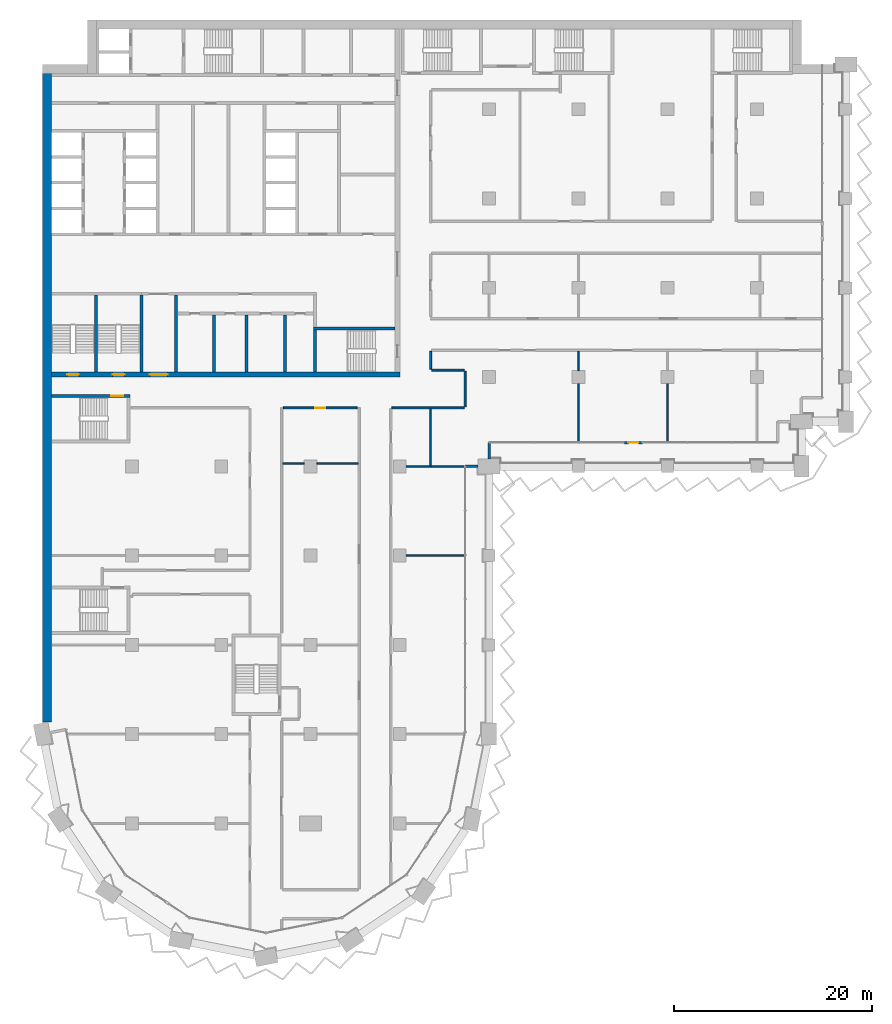
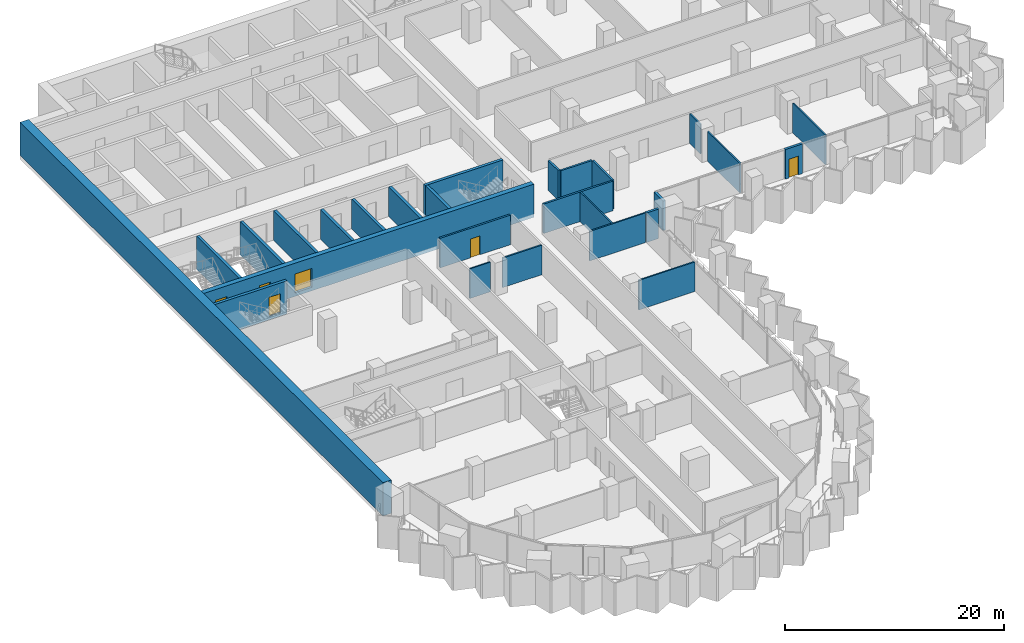
# One storey, part 11 of 23: 27 walls, 6 doors, 6 openings.
"""IFC4 building model written with IfcOpenShell, lengths in metres."""

from ifc_helpers import new_model, si_unit, direction, frame, frame_2d, origin, place, context, subcontext, project, spatial, rectangle, extrude, material, layer, layer_set, type_object, element, fill, save


model = new_model("IFC4")

# Units and contexts
model_context = context("Model", 3, precision=1e-05, world=origin(), true_north=direction((0.0, 1.0)))
body_context = subcontext(model_context, "Body", "Model", "MODEL_VIEW")
ifc_project = project(units=[si_unit("LENGTHUNIT", "METRE"), si_unit("AREAUNIT", "SQUARE_METRE"), si_unit("VOLUMEUNIT", "CUBIC_METRE"), si_unit("PLANEANGLEUNIT", "RADIAN"), si_unit("MASSUNIT", "GRAM", prefix="KILO")], contexts=[model_context])

# Site, building, storey
site_placement = place(None, origin())
site = spatial("IfcSite", under=ifc_project, at=site_placement, CompositionType="ELEMENT")
building_placement = place(site_placement, origin())
building = spatial("IfcBuilding", under=site, at=building_placement, Name="Hunhe Ridgeline Campus", CompositionType="ELEMENT")
storey_placement = place(building_placement, frame((0.0, 0.0, 95.89990234375)))
storey = spatial("IfcBuildingStorey", under=building, at=storey_placement, Name="L23", CompositionType="ELEMENT", Elevation=95.89990234375)

# Walls
ifc_material_1 = material(Name="Masonry concrete blockwork", Category="masonry")
ifc_layer_1 = layer(ifc_material_1, 0.300048828125)
ifc_layer_set_1 = layer_set([ifc_layer_1], Name="Core room partition 300 concrete block")
wall_type_1 = type_object("IfcWallType", Name="Core room partition 300 concrete block", PredefinedType="PARTITIONING", material=ifc_layer_set_1)
wall_1_placement = place(storey_placement, frame((13.449951171875, 63.5, 0.0), z_axis=(0.0, 0.0, 1.0), x_axis=(0.0, 1.0, 0.0)))
element("IfcWall", 1, at=wall_1_placement, inside=storey, type_object=wall_type_1, Name="L23 core partition 42", PredefinedType="PARTITIONING", context=body_context, shape_type="SweptSolid", body=[
    extrude(rectangle(XDim=7.75, YDim=0.300048828125, at=frame_2d((3.875, 0.0))), origin(), (0.0, 0.0, 1.0), 3.300048828125),
])
for number, where, z_axis, x_axis, name in (
    (2, (17.25, 63.5, 0.0), (0.0, 0.0, 1.0), (0.0, 1.0, 0.0), "L23 core partition 45"),
    (3, (20.550048828125, 63.5, 0.0), (0.0, 0.0, 1.0), (0.0, 1.0, 0.0), "L23 core partition 48"),
    (4, (24.449951171875, 63.5, 0.0), (0.0, 0.0, 1.0), (0.0, 1.0, 0.0), "L23 core partition 53"),
):
    element("IfcWall", number, at=place(storey_placement, frame(where, z_axis=z_axis, x_axis=x_axis)), inside=storey, type_object=wall_type_1, Name=name, PredefinedType="PARTITIONING", context=body_context, shape_type="SweptSolid", body=[
        extrude(rectangle(XDim=5.75, YDim=0.300048828125, at=frame_2d((2.875, 0.0))), origin(), (0.0, 0.0, 1.0), 3.300048828125),
    ])

# Wall, openings, doors
ifc_material_2 = material(Name="Concrete C80", Category="concrete")
ifc_layer_2 = layer(ifc_material_2, 0.5)
ifc_layer_set_2 = layer_set([ifc_layer_2], Name="Core wall 500 reinforced concrete C80")
wall_type_2 = type_object("IfcWallType", Name="Core wall 500 reinforced concrete C80", PredefinedType="SOLIDWALL", material=ifc_layer_set_2)
wall_2_placement = place(storey_placement, frame((0.89990234375, 63.25, -0.39990234375), z_axis=(0.0, 0.0, 1.0), x_axis=(1.0, 0.0, 0.0)))
wall_2 = element("IfcWall", 5, at=wall_2_placement, inside=storey, type_object=wall_type_2, Name="L23 core wall 7", PredefinedType="SOLIDWALL", context=body_context, shape_type="SweptSolid", body=[
    extrude(rectangle(XDim=35.10009765625, YDim=0.5, at=frame_2d((17.550048828125, 0.0))), origin(), (0.0, 0.0, 1.0), 3.699951171875),
])
opening_1_placement = place(wall_2_placement, frame((9.89990234375, 0.0, 0.39990234375)))
opening_1 = element("IfcOpeningElement", 6, at=opening_1_placement, cuts=wall_2, Name="Opening CD6", PredefinedType="OPENING", context=body_context, shape_type="SweptSolid", body=[
    extrude(rectangle(XDim=1.800048828125, YDim=2.10009765625, at=frame_2d((0.89990234375, 1.050048828125))), frame((0.0, 0.25, 0.0), z_axis=(0.0, -1.0, 0.0), x_axis=(1.0, 0.0, 0.0)), (0.0, 0.0, 1.0), 0.5),
])
opening_2_placement = place(wall_2_placement, frame((1.550048828125, 0.0, 0.39990234375)))
opening_2 = element("IfcOpeningElement", 7, at=opening_2_placement, cuts=wall_2, Name="Opening CD13", PredefinedType="OPENING", context=body_context, shape_type="SweptSolid", body=[
    extrude(rectangle(XDim=1.199951171875, YDim=2.10009765625, at=frame_2d((0.60009765625, 1.050048828125))), frame((0.0, 0.25, 0.0), z_axis=(0.0, -1.0, 0.0), x_axis=(1.0, 0.0, 0.0)), (0.0, 0.0, 1.0), 0.5),
])
opening_3_placement = place(wall_2_placement, frame((6.14990234375, 0.0, 0.39990234375)))
opening_3 = element("IfcOpeningElement", 8, at=opening_3_placement, cuts=wall_2, Name="Opening CD14", PredefinedType="OPENING", context=body_context, shape_type="SweptSolid", body=[
    extrude(rectangle(XDim=1.199951171875, YDim=2.10009765625, at=frame_2d((0.60009765625, 1.050048828125))), frame((0.0, 0.25, 0.0), z_axis=(0.0, -1.0, 0.0), x_axis=(1.0, 0.0, 0.0)), (0.0, 0.0, 1.0), 0.5),
])
ifc_material_3 = material(Name="Anodised aluminium and glass", Category="aluminium")
door_type_1 = type_object("IfcDoorType", Name="Glazed double door 1800x2100", OperationType="DOUBLE_DOOR_SINGLE_SWING", PredefinedType="DOOR", material=ifc_material_3)
door_1_placement = place(opening_1_placement, frame((1.800048828125, 0.0, 0.0), z_axis=(0.0, 0.0, 1.0), x_axis=(-1.0, 0.0, 0.0)))
door_1 = element("IfcDoor", 9, at=door_1_placement, inside=storey, type_object=door_type_1, Name="L23 door VEST-FLOOR", OperationType="DOUBLE_DOOR_SINGLE_SWING", OverallHeight=2.10009765625, OverallWidth=1.800048828125, PredefinedType="DOOR", context=body_context, shape_type="SweptSolid", body=[
    extrude(rectangle(XDim=1.800048828125, YDim=2.10009765625, at=frame_2d((0.89990234375, 1.050048828125))), frame((0.0, 0.02490234375, 0.0), z_axis=(0.0, -1.0, 0.0), x_axis=(1.0, 0.0, 0.0)), (0.0, 0.0, 1.0), 0.050048828125),
])
fill(opening_1, door_1)
ifc_material_4 = material(Name="Hollow metal fire door leaf")
door_type_2 = type_object("IfcDoorType", Name="Stair door 1200x2100 FD60", OperationType="SINGLE_SWING_LEFT", PredefinedType="DOOR", material=ifc_material_4)
door_2_placement = place(opening_2_placement, frame((1.199951171875, 0.0, 0.0), z_axis=(0.0, 0.0, 1.0), x_axis=(-1.0, 0.0, 0.0)))
door_2 = element("IfcDoor", 10, at=door_2_placement, inside=storey, type_object=door_type_2, Name="L23 door S3", OperationType="SINGLE_SWING_RIGHT", OverallHeight=2.10009765625, OverallWidth=1.199951171875, PredefinedType="DOOR", context=body_context, shape_type="SweptSolid", body=[
    extrude(rectangle(XDim=1.199951171875, YDim=2.10009765625, at=frame_2d((0.60009765625, 1.050048828125))), frame((0.0, 0.02490234375, 0.0), z_axis=(0.0, -1.0, 0.0), x_axis=(1.0, 0.0, 0.0)), (0.0, 0.0, 1.0), 0.050048828125),
])
fill(opening_2, door_2)
door_3_placement = place(opening_3_placement, frame((1.199951171875, 0.0, 0.0), z_axis=(0.0, 0.0, 1.0), x_axis=(-1.0, 0.0, 0.0)))
door_3 = element("IfcDoor", 11, at=door_3_placement, inside=storey, type_object=door_type_2, Name="L23 door S4", OperationType="SINGLE_SWING_LEFT", OverallHeight=2.10009765625, OverallWidth=1.199951171875, PredefinedType="DOOR", context=body_context, shape_type="SweptSolid", body=[
    extrude(rectangle(XDim=1.199951171875, YDim=2.10009765625, at=frame_2d((0.60009765625, 1.050048828125))), frame((0.0, 0.02490234375, 0.0), z_axis=(0.0, -1.0, 0.0), x_axis=(1.0, 0.0, 0.0)), (0.0, 0.0, 1.0), 0.050048828125),
])
fill(opening_3, door_3)

# Walls
ifc_material_5 = material(Name="Concrete C30", Category="concrete")
ifc_layer_3 = layer(ifc_material_5, 0.25)
ifc_layer_set_3 = layer_set([ifc_layer_3], Name="Corner return wall 250 Concrete C30")
wall_type_3 = type_object("IfcWallType", Name="Corner return wall 250 Concrete C30", PredefinedType="SOLIDWALL", material=ifc_layer_set_3)
wall_3_placement = place(storey_placement, frame((42.599365234375, 54.000732421875, 0.0), z_axis=(0.0, 0.0, 1.0), x_axis=(0.99999998238, 0.000187722918, 0.0)))
element("IfcWall", 12, at=wall_3_placement, inside=storey, type_object=wall_type_3, Name="Corner return wall 2", PredefinedType="SOLIDWALL", context=body_context, shape_type="SweptSolid", body=[
    extrude(rectangle(XDim=1.300537109375, YDim=0.25, at=frame_2d((0.650390625, 0.0))), origin(), (0.0, 0.0, 1.0), 3.300048828125),
])
wall_4_placement = place(storey_placement, frame((44.999267578125, 54.75, 0.0), z_axis=(0.0, 0.0, 1.0), x_axis=(0.000443655679, 0.999999901585, 0.0)))
element("IfcWall", 13, at=wall_4_placement, inside=storey, type_object=wall_type_3, Name="Corner return wall 3", PredefinedType="SOLIDWALL", context=body_context, shape_type="SweptSolid", body=[
    extrude(rectangle(XDim=1.65087890625, YDim=0.25, at=frame_2d((0.825439453125, 0.0))), origin(), (0.0, 0.0, 1.0), 3.300048828125),
])

# Wall, opening, door
ifc_material_6 = material(Name="Gypsum board partition")
ifc_layer_4 = layer(ifc_material_6, 0.199951171875)
ifc_layer_set_4 = layer_set([ifc_layer_4], Name="Corridor partition 200 gypsum board on steel studs")
wall_type_4 = type_object("IfcWallType", Name="Corridor partition 200 gypsum board on steel studs", PredefinedType="PARTITIONING", material=ifc_layer_set_4)
wall_5_placement = place(storey_placement, frame((31.6982421875, 59.89990234375, 0.0), z_axis=(0.0, 0.0, 1.0), x_axis=(-1.0, 0.0, 0.0)))
wall_5 = element("IfcWall", 14, at=wall_5_placement, inside=storey, type_object=wall_type_4, Name="F-L23-wall-030", PredefinedType="PARTITIONING", context=body_context, shape_type="SweptSolid", body=[
    extrude(rectangle(XDim=7.432861328125, YDim=0.199951171875, at=frame_2d((3.71630859375, 0.0))), origin(), (0.0, 0.0, 1.0), 3.300048828125),
])
opening_4_placement = place(wall_5_placement, frame((3.216552734375, 0.0, 0.0)))
opening_4 = element("IfcOpeningElement", 15, at=opening_4_placement, cuts=wall_5, Name="Opening RD1-019", PredefinedType="OPENING", context=body_context, shape_type="SweptSolid", body=[
    extrude(rectangle(XDim=1.0, YDim=2.10009765625, at=frame_2d((0.5, 1.050048828125))), frame((0.0, 0.10009765625, 0.0), z_axis=(0.0, -1.0, 0.0), x_axis=(1.0, 0.0, 0.0)), (0.0, 0.0, 1.0), 0.199951171875),
])
ifc_material_7 = material(Name="Timber door leaf", Category="wood")
door_type_3 = type_object("IfcDoorType", Name="Single fire door 1000x2100 timber FD60", OperationType="NOTDEFINED", PredefinedType="DOOR", material=ifc_material_7)
door_4_placement = place(opening_4_placement, origin())
door_4 = element("IfcDoor", 16, at=door_4_placement, inside=storey, type_object=door_type_3, Name="F-L23-door-019", OperationType="SINGLE_SWING_LEFT", OverallHeight=2.10009765625, OverallWidth=1.0, PredefinedType="DOOR", context=body_context, shape_type="SweptSolid", body=[
    extrude(rectangle(XDim=1.0, YDim=2.10009765625, at=frame_2d((0.5, 1.050048828125))), frame((0.0, 0.02490234375, 0.0), z_axis=(0.0, -1.0, 0.0), x_axis=(1.0, 0.0, 0.0)), (0.0, 0.0, 1.0), 0.050048828125),
])
fill(opening_4, door_4)

# Walls
wall_6_placement = place(storey_placement, frame((42.5, 59.89990234375, 0.0), z_axis=(0.0, 0.0, 1.0), x_axis=(-1.0, 0.0, 0.0)))
element("IfcWall", 17, at=wall_6_placement, inside=storey, type_object=wall_type_4, Name="F-L23-wall-031", PredefinedType="PARTITIONING", context=body_context, shape_type="SweptSolid", body=[
    extrude(rectangle(XDim=7.300048828125, YDim=0.199951171875, at=frame_2d((3.64990234375, 0.0))), origin(), (0.0, 0.0, 1.0), 3.300048828125),
])
wall_7_placement = place(storey_placement, frame((39.199951171875, 63.699951171875, 0.0), z_axis=(0.0, 0.0, 1.0), x_axis=(1.0, 0.0, 0.0)))
element("IfcWall", 18, at=wall_7_placement, inside=storey, type_object=wall_type_4, Name="F-L23-wall-032", PredefinedType="PARTITIONING", context=body_context, shape_type="SweptSolid", body=[
    extrude(rectangle(XDim=3.300048828125, YDim=0.199951171875, at=frame_2d((1.64990234375, 0.0))), origin(), (0.0, 0.0, 1.0), 3.300048828125),
])
wall_8_placement = place(storey_placement, frame((39.10009765625, 65.60009765625, 0.0), z_axis=(0.0, 0.0, 1.0), x_axis=(0.0, -1.0, 0.0)))
element("IfcWall", 19, at=wall_8_placement, inside=storey, type_object=wall_type_4, Name="F-L23-wall-052", PredefinedType="PARTITIONING", context=body_context, shape_type="SweptSolid", body=[
    extrude(rectangle(XDim=1.800048828125, YDim=0.199951171875, at=frame_2d((0.89990234375, 0.0))), origin(), (0.0, 0.0, 1.0), 3.300048828125),
])
wall_9_placement = place(storey_placement, frame((42.60009765625, 63.60009765625, 0.0), z_axis=(0.0, 0.0, 1.0), x_axis=(0.0, -1.0, 0.0)))
element("IfcWall", 20, at=wall_9_placement, inside=storey, type_object=wall_type_4, Name="F-L23-wall-055", PredefinedType="PARTITIONING", context=body_context, shape_type="SweptSolid", body=[
    extrude(rectangle(XDim=3.60009765625, YDim=0.199951171875, at=frame_2d((1.800048828125, 0.0))), origin(), (0.0, 0.0, 1.0), 3.300048828125),
])

# Wall, opening, door
ifc_layer_5 = layer(ifc_material_5, 0.25)
ifc_layer_set_5 = layer_set([ifc_layer_5], Name="Loggia door pier wall 250 Concrete C30")
wall_type_5 = type_object("IfcWallType", Name="Loggia door pier wall 250 Concrete C30", PredefinedType="SOLIDWALL", material=ifc_layer_set_5)
wall_10_placement = place(storey_placement, frame((58.6494140625, 56.40087890625, 0.0), z_axis=(0.0, 0.0, 1.0), x_axis=(1.0, 0.0, 0.0)))
wall_10 = element("IfcWall", 21, at=wall_10_placement, inside=storey, type_object=wall_type_5, Name="Loggia door pier 3", PredefinedType="SOLIDWALL", context=body_context, shape_type="SweptSolid", body=[
    extrude(rectangle(XDim=1.800048828125, YDim=0.25, at=frame_2d((0.89990234375, 0.0))), origin(), (0.0, 0.0, 1.0), 3.300048828125),
])
opening_5_placement = place(wall_10_placement, frame((0.39990234375, 0.0, 0.0)))
opening_5 = element("IfcOpeningElement", 22, at=opening_5_placement, cuts=wall_10, Name="Opening BD206", PredefinedType="OPENING", context=body_context, shape_type="SweptSolid", body=[
    extrude(rectangle(XDim=1.0, YDim=2.10009765625, at=frame_2d((0.5, 1.050048828125))), frame((0.0, 0.125, 0.0), z_axis=(0.0, -1.0, 0.0), x_axis=(1.0, 0.0, 0.0)), (0.0, 0.0, 1.0), 0.25),
])
ifc_material_8 = material(Name="Aluminium 6063", Category="aluminium")
door_type_4 = type_object("IfcDoorType", Name="Loggia glazed door 1000x2100", OperationType="NOTDEFINED", PredefinedType="DOOR", material=ifc_material_8)
door_5_placement = place(opening_5_placement, frame((1.0, 0.0, 0.0), z_axis=(0.0, 0.0, 1.0), x_axis=(-1.0, 0.0, 0.0)))
door_5 = element("IfcDoor", 23, at=door_5_placement, inside=storey, type_object=door_type_4, Name="Loggia door BD206", OperationType="SINGLE_SWING_LEFT", OverallHeight=2.10009765625, OverallWidth=1.0, PredefinedType="DOOR", context=body_context, shape_type="SweptSolid", body=[
    extrude(rectangle(XDim=1.0, YDim=2.10009765625, at=frame_2d((0.5, 1.050048828125))), frame((0.0, 0.02490234375, 0.0), z_axis=(0.0, -1.0, 0.0), x_axis=(1.0, 0.0, 0.0)), (0.0, 0.0, 1.0), 0.050048828125),
])
fill(opening_5, door_5)

# Walls
ifc_layer_6 = layer(ifc_material_6, 0.14990234375)
ifc_layer_set_6 = layer_set([ifc_layer_6], Name="Room partition 150 gypsum board on steel studs")
wall_type_6 = type_object("IfcWallType", Name="Room partition 150 gypsum board on steel studs", PredefinedType="PARTITIONING", material=ifc_layer_set_6)
wall_11_placement = place(storey_placement, frame((36.64990234375, 45.0, 0.0), z_axis=(0.0, 0.0, 1.0), x_axis=(1.0, 0.0, 0.0)))
element("IfcWall", 24, at=wall_11_placement, inside=storey, type_object=wall_type_6, Name="F-L23-wall-025", PredefinedType="PARTITIONING", context=body_context, shape_type="SweptSolid", body=[
    extrude(rectangle(XDim=5.895263671875, YDim=0.14990234375, at=frame_2d((2.94775390625, 0.0))), origin(), (0.0, 0.0, 1.0), 3.300048828125),
])
wall_12_placement = place(storey_placement, frame((36.64990234375, 54.0, 0.0), z_axis=(0.0, 0.0, 1.0), x_axis=(1.0, 0.0, 0.0)))
element("IfcWall", 25, at=wall_12_placement, inside=storey, type_object=wall_type_6, Name="F-L23-wall-026", PredefinedType="PARTITIONING", context=body_context, shape_type="SweptSolid", body=[
    extrude(rectangle(XDim=5.8955078125, YDim=0.14990234375, at=frame_2d((2.94775390625, 0.0))), origin(), (0.0, 0.0, 1.0), 3.300048828125),
])
wall_13_placement = place(storey_placement, frame((24.199951171875, 54.300048828125, 0.0), z_axis=(0.0, 0.0, 1.0), x_axis=(1.0, 0.0, 0.0)))
element("IfcWall", 26, at=wall_13_placement, inside=storey, type_object=wall_type_6, Name="F-L23-wall-027", PredefinedType="PARTITIONING", context=body_context, shape_type="SweptSolid", body=[
    extrude(rectangle(XDim=2.150146484375, YDim=0.14990234375, at=frame_2d((1.0751953125, 0.0))), origin(), (0.0, 0.0, 1.0), 3.300048828125),
])
wall_14_placement = place(storey_placement, frame((27.64990234375, 54.300048828125, 0.0), z_axis=(0.0, 0.0, 1.0), x_axis=(1.0, 0.0, 0.0)))
element("IfcWall", 27, at=wall_14_placement, inside=storey, type_object=wall_type_6, Name="F-L23-wall-028", PredefinedType="PARTITIONING", context=body_context, shape_type="SweptSolid", body=[
    extrude(rectangle(XDim=4.150146484375, YDim=0.14990234375, at=frame_2d((2.0751953125, 0.0))), origin(), (0.0, 0.0, 1.0), 3.300048828125),
])
wall_15_placement = place(storey_placement, frame((39.10009765625, 59.800048828125, 0.0), z_axis=(0.0, 0.0, 1.0), x_axis=(0.0, -1.0, 0.0)))
element("IfcWall", 28, at=wall_15_placement, inside=storey, type_object=wall_type_6, Name="F-L23-wall-051", PredefinedType="PARTITIONING", context=body_context, shape_type="SweptSolid", body=[
    extrude(rectangle(XDim=5.72509765625, YDim=0.14990234375, at=frame_2d((2.862548828125, 0.0))), origin(), (0.0, 0.0, 1.0), 3.300048828125),
])
wall_16_placement = place(storey_placement, frame((54.0, 62.35009765625, 0.0), z_axis=(0.0, 0.0, 1.0), x_axis=(0.0, -1.0, 0.0)))
element("IfcWall", 29, at=wall_16_placement, inside=storey, type_object=wall_type_6, Name="F-L23-wall-061", PredefinedType="PARTITIONING", context=body_context, shape_type="SweptSolid", body=[
    extrude(rectangle(XDim=5.89501953125, YDim=0.14990234375, at=frame_2d((2.947509765625, 0.0))), origin(), (0.0, 0.0, 1.0), 3.300048828125),
])
wall_17_placement = place(storey_placement, frame((54.0, 65.60009765625, 0.0), z_axis=(0.0, 0.0, 1.0), x_axis=(0.0, -1.0, 0.0)))
element("IfcWall", 30, at=wall_17_placement, inside=storey, type_object=wall_type_6, Name="F-L23-wall-062", PredefinedType="PARTITIONING", context=body_context, shape_type="SweptSolid", body=[
    extrude(rectangle(XDim=1.9501953125, YDim=0.14990234375, at=frame_2d((0.97509765625, 0.0))), origin(), (0.0, 0.0, 1.0), 3.300048828125),
])
wall_18_placement = place(storey_placement, frame((63.0, 62.35009765625, 0.0), z_axis=(0.0, 0.0, 1.0), x_axis=(0.0, -1.0, 0.0)))
element("IfcWall", 31, at=wall_18_placement, inside=storey, type_object=wall_type_6, Name="F-L23-wall-066", PredefinedType="PARTITIONING", context=body_context, shape_type="SweptSolid", body=[
    extrude(rectangle(XDim=5.89501953125, YDim=0.14990234375, at=frame_2d((2.947509765625, 0.0))), origin(), (0.0, 0.0, 1.0), 3.300048828125),
])
ifc_material_9 = material(Name="Concrete C70", Category="concrete")
ifc_layer_7 = layer(ifc_material_9, 0.89990234375)
ifc_layer_set_7 = layer_set([ifc_layer_7], Name="Spine wall 900 Concrete C70")
wall_type_7 = type_object("IfcWallType", Name="Spine wall 900 Concrete C70", PredefinedType="SHEAR", material=ifc_layer_set_7)
wall_19_placement = place(storey_placement, frame((0.449951171875, 94.5, 0.0), z_axis=(0.0, 0.0, 1.0), x_axis=(0.0, -1.0, 0.0)))
element("IfcWall", 32, at=wall_19_placement, inside=storey, type_object=wall_type_7, Name="Spine wall SW2-1 L23", PredefinedType="SHEAR", context=body_context, shape_type="SweptSolid", body=[
    extrude(rectangle(XDim=66.288818359375, YDim=0.89990234375, at=frame_2d((33.14453125, 0.0))), origin(), (0.0, 0.0, 1.0), 3.7001953125),
])

# Wall, opening, door
ifc_layer_8 = layer(ifc_material_2, 0.300048828125)
ifc_layer_set_8 = layer_set([ifc_layer_8], Name="Stair wall 300 reinforced concrete C80")
wall_type_8 = type_object("IfcWallType", Name="Stair wall 300 reinforced concrete C80", PredefinedType="SOLIDWALL", material=ifc_layer_set_8)
wall_20_placement = place(storey_placement, frame((0.89990234375, 61.10009765625, -0.39990234375), z_axis=(0.0, 0.0, 1.0), x_axis=(1.0, 0.0, 0.0)))
wall_20 = element("IfcWall", 33, at=wall_20_placement, inside=storey, type_object=wall_type_8, Name="L23 core wall 6", PredefinedType="SOLIDWALL", context=body_context, shape_type="SweptSolid", body=[
    extrude(rectangle(XDim=7.900146484375, YDim=0.300048828125, at=frame_2d((3.9501953125, 0.0))), origin(), (0.0, 0.0, 1.0), 3.699951171875),
])
opening_6_placement = place(wall_20_placement, frame((6.0, 0.0, 0.39990234375)))
opening_6 = element("IfcOpeningElement", 34, at=opening_6_placement, cuts=wall_20, Name="Opening CD22", PredefinedType="OPENING", context=body_context, shape_type="SweptSolid", body=[
    extrude(rectangle(XDim=1.199951171875, YDim=2.10009765625, at=frame_2d((0.60009765625, 1.050048828125))), frame((0.0, 0.14990234375, 0.0), z_axis=(0.0, -1.0, 0.0), x_axis=(1.0, 0.0, 0.0)), (0.0, 0.0, 1.0), 0.300048828125),
])
door_6_placement = place(opening_6_placement, origin())
door_6 = element("IfcDoor", 35, at=door_6_placement, inside=storey, type_object=door_type_2, Name="L23 door W2", OperationType="SINGLE_SWING_LEFT", OverallHeight=2.10009765625, OverallWidth=1.199951171875, PredefinedType="DOOR", context=body_context, shape_type="SweptSolid", body=[
    extrude(rectangle(XDim=1.199951171875, YDim=2.10009765625, at=frame_2d((0.60009765625, 1.050048828125))), frame((0.0, 0.02490234375, 0.0), z_axis=(0.0, -1.0, 0.0), x_axis=(1.0, 0.0, 0.0)), (0.0, 0.0, 1.0), 0.050048828125),
])
fill(opening_6, door_6)

# Walls
wall_21_placement = place(storey_placement, frame((27.300048828125, 67.89990234375, -0.39990234375), z_axis=(0.0, 0.0, 1.0), x_axis=(1.0, 0.0, 0.0)))
element("IfcWall", 36, at=wall_21_placement, inside=storey, type_object=wall_type_8, Name="L23 core wall 8", PredefinedType="SOLIDWALL", context=body_context, shape_type="SweptSolid", body=[
    extrude(rectangle(XDim=8.199951171875, YDim=0.300048828125, at=frame_2d((4.10009765625, 0.0))), origin(), (0.0, 0.0, 1.0), 3.699951171875),
])
for number, where, z_axis, x_axis, name in (
    (37, (5.35009765625, 63.5, -0.39990234375), (0.0, 0.0, 1.0), (0.0, 1.0, 0.0), "L23 core wall 33"),
    (38, (9.949951171875, 63.5, -0.39990234375), (0.0, 0.0, 1.0), (0.0, 1.0, 0.0), "L23 core wall 39"),
):
    element("IfcWall", number, at=place(storey_placement, frame(where, z_axis=z_axis, x_axis=x_axis)), inside=storey, type_object=wall_type_8, Name=name, PredefinedType="SOLIDWALL", context=body_context, shape_type="SweptSolid", body=[
        extrude(rectangle(XDim=7.75, YDim=0.300048828125, at=frame_2d((3.875, 0.0))), origin(), (0.0, 0.0, 1.0), 3.699951171875),
    ])
wall_22_placement = place(storey_placement, frame((27.449951171875, 63.5, -0.39990234375), z_axis=(0.0, 0.0, 1.0), x_axis=(0.0, 1.0, 0.0)))
element("IfcWall", 39, at=wall_22_placement, inside=storey, type_object=wall_type_8, Name="L23 core wall 56", PredefinedType="SOLIDWALL", context=body_context, shape_type="SweptSolid", body=[
    extrude(rectangle(XDim=4.25, YDim=0.300048828125, at=frame_2d((2.125, 0.0))), origin(), (0.0, 0.0, 1.0), 3.699951171875),
])

save(model, "model.ifc")
